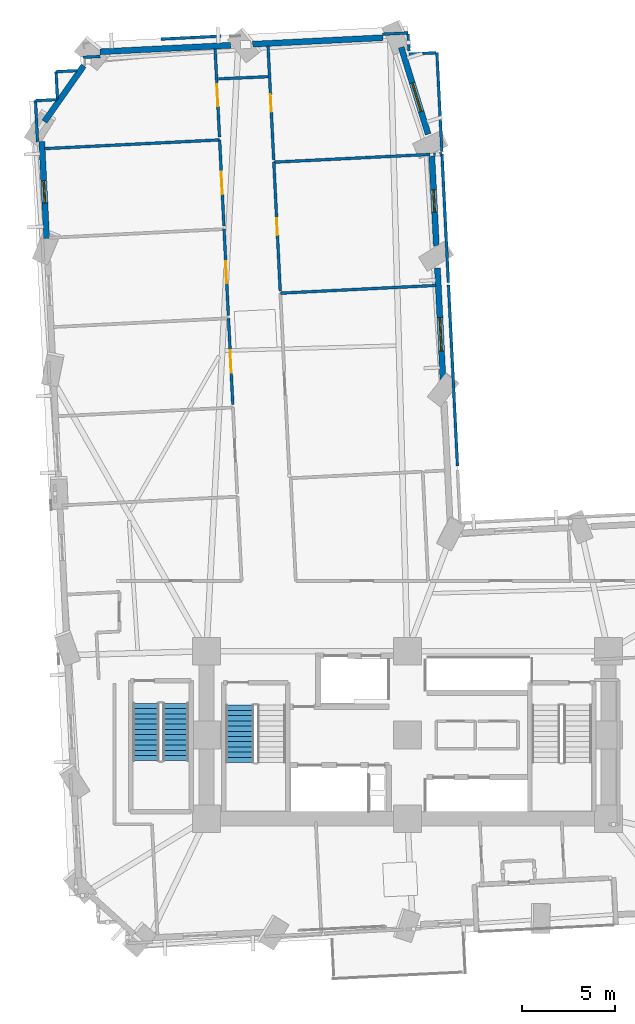
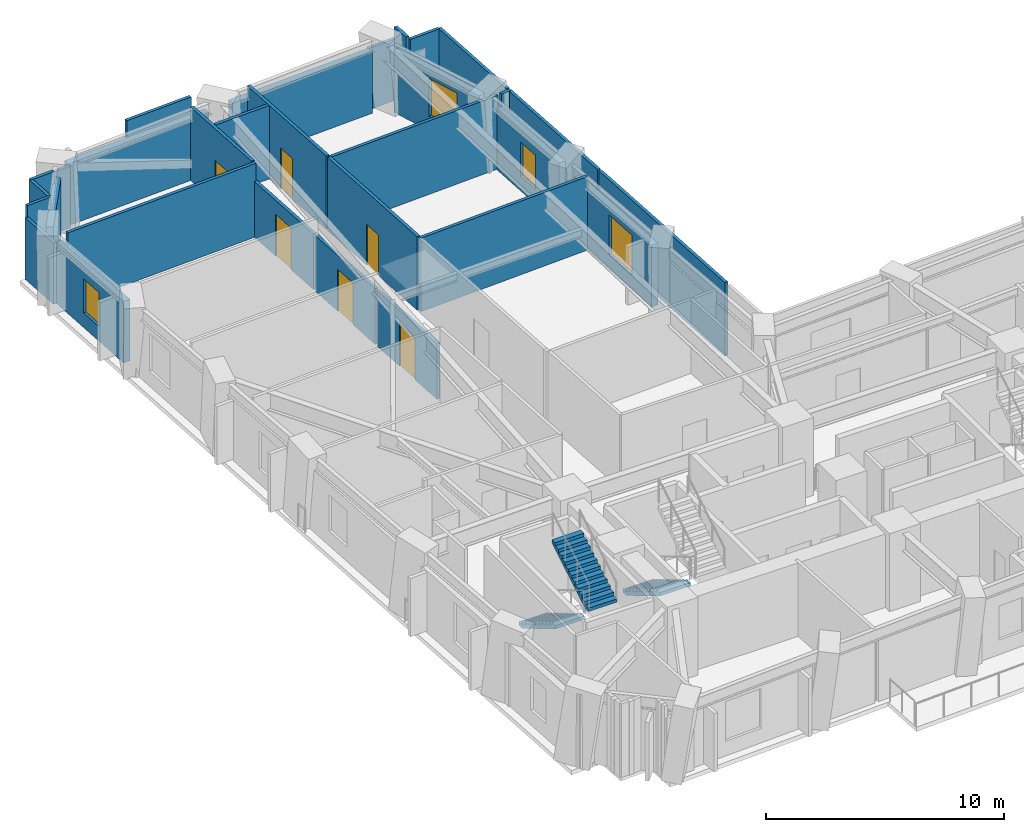
# One storey, part 10 of 15: 30 walls, 6 doors, 4 windows, 3 stair flights, 10 openings, 2 elements without a shape of their own.
"""IFC4 building model written with IfcOpenShell, lengths in metres."""

from ifc_helpers import new_model, si_unit, direction, frame, frame_2d, origin, place, context, subcontext, project, spatial, polyline, rectangle, outline, extrude, material, layer, layer_set, type_object, element, fill, aggregate, save


model = new_model("IFC4")

# Units and contexts
model_context = context("Model", 3, precision=1e-05, world=origin(), true_north=direction((0.0, 1.0)))
body_context = subcontext(model_context, "Body", "Model", "MODEL_VIEW")
ifc_project = project(units=[si_unit("LENGTHUNIT", "METRE"), si_unit("AREAUNIT", "SQUARE_METRE"), si_unit("VOLUMEUNIT", "CUBIC_METRE"), si_unit("PLANEANGLEUNIT", "RADIAN"), si_unit("MASSUNIT", "GRAM", prefix="KILO")], contexts=[model_context])

# Site, building, storey
site_placement = place(None, origin())
site = spatial("IfcSite", under=ifc_project, at=site_placement, CompositionType="ELEMENT")
building_placement = place(site_placement, origin())
building = spatial("IfcBuilding", under=site, at=building_placement, Name="Gaonmaruhae Medical Tower", CompositionType="ELEMENT")
storey_placement = place(building_placement, frame((0.0, 0.0, 35.0)))
storey = spatial("IfcBuildingStorey", under=building, at=storey_placement, Name="L07", CompositionType="ELEMENT", Elevation=35.0)

# Wall, opening, window
ifc_material_1 = material(Name="Precast concrete C45/55", Category="concrete")
ifc_layer_1 = layer(ifc_material_1, 0.320068359375)
ifc_layer_set_1 = layer_set([ifc_layer_1], Name="Precast concrete C45/55")
wall_type_1 = type_object("IfcWallType", Name="EW-320 Lower Precast Masonry-Frame Facade Wall", PredefinedType="SOLIDWALL", material=ifc_layer_set_1)
wall_1_placement = place(storey_placement, frame((26.71240234375, 31.41650390625, 0.0), z_axis=(0.0, 0.0, 1.0), x_axis=(-0.049710193148, 0.99876368411, 0.0)))
wall_1 = element("IfcWall", 1, at=wall_1_placement, inside=storey, type_object=wall_type_1, Name="L07 Precast Masonry-Frame Wall NE01-NE02", PredefinedType="SOLIDWALL", context=body_context, shape_type="SweptSolid", body=[
    extrude(rectangle(XDim=5.99658203125, YDim=0.320068359375, at=frame_2d((2.998291015625, 0.0))), origin(), (0.0, 0.0, 1.0), 3.1650390625),
])
opening_1_placement = place(wall_1_placement, frame((1.525146484375, 0.0, 0.75)))
opening_1 = element("IfcOpeningElement", 2, at=opening_1_placement, cuts=wall_1, Name="Opening WN-04", PredefinedType="OPENING", context=body_context, shape_type="SweptSolid", body=[
    extrude(rectangle(XDim=1.800048828125, YDim=2.050048828125, at=frame_2d((0.89990234375, 1.02490234375))), frame((0.0, 0.169921875, 0.0), z_axis=(0.0, -1.0, 0.0), x_axis=(1.0, 0.0, 0.0)), (0.0, 0.0, 1.0), 0.340087890625),
])
ifc_material_2 = material(Name="Anodised aluminium and Low-E double glazing", Category="aluminium")
window_type_1 = type_object("IfcWindowType", Name="WN-04 Clinic & Consult Punched Window 1800x2050", PartitioningType="SINGLE_PANEL", PredefinedType="WINDOW", material=ifc_material_2)
window_1_placement = place(opening_1_placement, origin())
window_1 = element("IfcWindow", 3, at=window_1_placement, inside=storey, type_object=window_type_1, Name="L07 Modular Facade Window NE01", OverallHeight=2.050048828125, OverallWidth=1.800048828125, PartitioningType="SINGLE_PANEL", PredefinedType="WINDOW", context=body_context, shape_type="SweptSolid", body=[
    extrude(rectangle(XDim=1.800048828125, YDim=2.050048828125, at=frame_2d((0.89990234375, 1.02490234375))), frame((0.0, 0.030029296875, 0.0), z_axis=(0.0, -1.0, 0.0), x_axis=(1.0, 0.0, 0.0)), (0.0, 0.0, 1.0), 0.06005859375),
])
fill(opening_1, window_1)

wall_2_placement = place(storey_placement, frame((26.35498046875, 38.59912109375, 0.0), z_axis=(0.0, 0.0, 1.0), x_axis=(-0.049730290966, 0.998762683604, 0.0)))
wall_2 = element("IfcWall", 4, at=wall_2_placement, inside=storey, type_object=wall_type_1, Name="L07 Precast Masonry-Frame Wall NE02-NE03", PredefinedType="SOLIDWALL", context=body_context, shape_type="SweptSolid", body=[
    extrude(rectangle(XDim=4.81591796875, YDim=0.320068359375, at=frame_2d((2.407958984375, 0.0))), origin(), (0.0, 0.0, 1.0), 3.1650390625),
])
opening_2_placement = place(wall_2_placement, frame((1.8056640625, 0.0, 0.75)))
opening_2 = element("IfcOpeningElement", 5, at=opening_2_placement, cuts=wall_2, Name="Opening WN-05", PredefinedType="OPENING", context=body_context, shape_type="SweptSolid", body=[
    extrude(rectangle(XDim=1.199951171875, YDim=1.75, at=frame_2d((0.60009765625, 0.875))), frame((0.0, 0.169921875, 0.0), z_axis=(0.0, -1.0, 0.0), x_axis=(1.0, 0.0, 0.0)), (0.0, 0.0, 1.0), 0.340087890625),
])
window_type_2 = type_object("IfcWindowType", Name="WN-05 Support & Staff Punched Window 1200x1750", PartitioningType="SINGLE_PANEL", PredefinedType="WINDOW", material=ifc_material_2)
window_2_placement = place(opening_2_placement, origin())
window_2 = element("IfcWindow", 6, at=window_2_placement, inside=storey, type_object=window_type_2, Name="L07 Modular Facade Window NE02", OverallHeight=1.75, OverallWidth=1.199951171875, PartitioningType="SINGLE_PANEL", PredefinedType="WINDOW", context=body_context, shape_type="SweptSolid", body=[
    extrude(rectangle(XDim=1.199951171875, YDim=1.75, at=frame_2d((0.60009765625, 0.875))), frame((0.0, 0.030029296875, 0.0), z_axis=(0.0, -1.0, 0.0), x_axis=(1.0, 0.0, 0.0)), (0.0, 0.0, 1.0), 0.06005859375),
])
fill(opening_2, window_2)

wall_3_placement = place(storey_placement, frame((24.466552734375, 49.263916015625, 0.0), z_axis=(0.0, 0.0, 1.0), x_axis=(0.296218585313, -0.955120175536, 0.0)))
wall_3 = element("IfcWall", 7, at=wall_3_placement, inside=storey, type_object=wall_type_1, Name="L07 Precast Masonry-Frame Wall NE03-N01", PredefinedType="SOLIDWALL", context=body_context, shape_type="SweptSolid", body=[
    extrude(rectangle(XDim=4.88916015625, YDim=0.320068359375, at=frame_2d((2.444580078125, 0.0))), origin(), (0.0, 0.0, 1.0), 3.1650390625),
])
opening_3_placement = place(wall_3_placement, frame((2.014892578125, 0.0, 0.75)))
opening_3 = element("IfcOpeningElement", 8, at=opening_3_placement, cuts=wall_3, Name="Opening WN-01", PredefinedType="OPENING", context=body_context, shape_type="SweptSolid", body=[
    extrude(rectangle(XDim=1.60009765625, YDim=1.949951171875, at=frame_2d((0.800048828125, 0.97509765625))), frame((0.0, 0.169921875, 0.0), z_axis=(0.0, -1.0, 0.0), x_axis=(1.0, 0.0, 0.0)), (0.0, 0.0, 1.0), 0.340087890625),
])
window_type_3 = type_object("IfcWindowType", Name="WN-01 Ward Punched Acoustic Window 1600x1950", PartitioningType="SINGLE_PANEL", PredefinedType="WINDOW", material=ifc_material_2)
window_3_placement = place(opening_3_placement, origin())
window_3 = element("IfcWindow", 9, at=window_3_placement, inside=storey, type_object=window_type_3, Name="L07 Modular Facade Window NE03", OverallHeight=1.949951171875, OverallWidth=1.60009765625, PartitioningType="SINGLE_PANEL", PredefinedType="WINDOW", context=body_context, shape_type="SweptSolid", body=[
    extrude(rectangle(XDim=1.60009765625, YDim=1.949951171875, at=frame_2d((0.800048828125, 0.97509765625))), frame((0.0, 0.030029296875, 0.0), z_axis=(0.0, -1.0, 0.0), x_axis=(1.0, 0.0, 0.0)), (0.0, 0.0, 1.0), 0.06005859375),
])
fill(opening_3, window_3)

# Walls
wall_4_placement = place(storey_placement, frame((16.48681640625, 49.4296875, 0.0), z_axis=(0.0, 0.0, 1.0), x_axis=(0.998763528672, 0.049713316063, 0.0)))
element("IfcWall", 10, at=wall_4_placement, inside=storey, type_object=wall_type_1, Name="L07 Precast Masonry-Frame Wall N01-N02", PredefinedType="SOLIDWALL", context=body_context, shape_type="SweptSolid", body=[
    extrude(rectangle(XDim=7.0029296875, YDim=0.320068359375, at=frame_2d((3.50146484375, 0.0))), origin(), (0.0, 0.0, 1.0), 3.1650390625),
])
wall_5_placement = place(storey_placement, frame((8.277587890625, 49.02099609375, 0.0), z_axis=(0.0, 0.0, 1.0), x_axis=(0.998764253963, 0.0496987425, 0.0)))
element("IfcWall", 11, at=wall_5_placement, inside=storey, type_object=wall_type_1, Name="L07 Precast Masonry-Frame Wall N02-N03", PredefinedType="SOLIDWALL", context=body_context, shape_type="SweptSolid", body=[
    extrude(rectangle(XDim=7.03466796875, YDim=0.320068359375, at=frame_2d((3.517333984375, 0.0))), origin(), (0.0, 0.0, 1.0), 3.1650390625),
])
wall_6_placement = place(storey_placement, frame((5.29296875, 45.268798828125, 0.0), z_axis=(0.0, 0.0, 1.0), x_axis=(0.574655096794, 0.818395698748, 0.0)))
element("IfcWall", 12, at=wall_6_placement, inside=storey, type_object=wall_type_1, Name="L07 Precast Masonry-Frame Wall N03-W01", PredefinedType="SOLIDWALL", context=body_context, shape_type="SweptSolid", body=[
    extrude(rectangle(XDim=3.666015625, YDim=0.320068359375, at=frame_2d((1.8330078125, 0.0))), origin(), (0.0, 0.0, 1.0), 3.1650390625),
])

# Wall, opening, window
wall_7_placement = place(storey_placement, frame((5.409912109375, 38.982421875, 0.0), z_axis=(0.0, 0.0, 1.0), x_axis=(-0.049688162192, 0.998764780385, 0.0)))
wall_7 = element("IfcWall", 13, at=wall_7_placement, inside=storey, type_object=wall_type_1, Name="L07 Precast Masonry-Frame Wall W01-W02", PredefinedType="SOLIDWALL", context=body_context, shape_type="SweptSolid", body=[
    extrude(rectangle(XDim=5.222900390625, YDim=0.320068359375, at=frame_2d((2.611328125, 0.0))), origin(), (0.0, 0.0, 1.0), 3.1650390625),
])
opening_4_placement = place(wall_7_placement, frame((1.91357421875, 0.0, 0.75)))
opening_4 = element("IfcOpeningElement", 14, at=opening_4_placement, cuts=wall_7, Name="Opening WN-05", PredefinedType="OPENING", context=body_context, shape_type="SweptSolid", body=[
    extrude(rectangle(XDim=1.199951171875, YDim=1.75, at=frame_2d((0.60009765625, 0.875))), frame((0.0, 0.169921875, 0.0), z_axis=(0.0, -1.0, 0.0), x_axis=(1.0, 0.0, 0.0)), (0.0, 0.0, 1.0), 0.340087890625),
])
window_4_placement = place(opening_4_placement, origin())
window_4 = element("IfcWindow", 15, at=window_4_placement, inside=storey, type_object=window_type_2, Name="L07 Modular Facade Window W01", OverallHeight=1.75, OverallWidth=1.199951171875, PartitioningType="SINGLE_PANEL", PredefinedType="WINDOW", context=body_context, shape_type="SweptSolid", body=[
    extrude(rectangle(XDim=1.199951171875, YDim=1.75, at=frame_2d((0.60009765625, 0.875))), frame((0.0, 0.030029296875, 0.0), z_axis=(0.0, -1.0, 0.0), x_axis=(1.0, 0.0, 0.0)), (0.0, 0.0, 1.0), 0.06005859375),
])
fill(opening_4, window_4)

# Wall, opening, door
ifc_material_3 = material(Name="Gypsum board partition", Category="gypsum")
ifc_layer_2 = layer(ifc_material_3, 0.14990234375)
ifc_layer_set_2 = layer_set([ifc_layer_2], Name="Gypsum board partition")
wall_type_2 = type_object("IfcWallType", Name="PW-150 Rated Clinical Corridor Partition", PredefinedType="PARTITIONING", material=ifc_layer_set_2)
wall_8_placement = place(storey_placement, frame((15.18505859375, 34.697021484375, 0.0), z_axis=(0.0, 0.0, 1.0), x_axis=(0.049767066936, -0.99876085178, 0.0)))
wall_8 = element("IfcWall", 16, at=wall_8_placement, inside=storey, type_object=wall_type_2, Name="L07 Interior Partition L07-WOF16-62", PredefinedType="PARTITIONING", context=body_context, shape_type="SweptSolid", body=[
    extrude(rectangle(XDim=4.640869140625, YDim=0.14990234375, at=frame_2d((2.3203125, 0.0))), origin(), (0.0, 0.0, 1.0), 2.864990234375),
])
opening_5_placement = place(wall_8_placement, frame((1.720458984375, 0.0, 0.0)))
opening_5 = element("IfcOpeningElement", 17, at=opening_5_placement, cuts=wall_8, Name="Opening CD-02", PredefinedType="OPENING", context=body_context, shape_type="SweptSolid", body=[
    extrude(rectangle(XDim=1.199951171875, YDim=2.14990234375, at=frame_2d((0.60009765625, 1.074951171875))), frame((0.0, 0.0849609375, 0.0), z_axis=(0.0, -1.0, 0.0), x_axis=(1.0, 0.0, 0.0)), (0.0, 0.0, 1.0), 0.169921875),
])
ifc_material_4 = material(Name="Antimicrobial laminate timber fire door", Category="wood")
door_type_1 = type_object("IfcDoorType", Name="CD-02 Clinical Treatment & Procedure Door 1200x2150", OperationType="NOTDEFINED", PredefinedType="DOOR", material=ifc_material_4)
door_1_placement = place(opening_5_placement, origin())
door_1 = element("IfcDoor", 18, at=door_1_placement, inside=storey, type_object=door_type_1, Name="L07 Ward Physician Reporting Office Door", OperationType="SINGLE_SWING_RIGHT", OverallHeight=2.14990234375, OverallWidth=1.199951171875, PredefinedType="DOOR", context=body_context, shape_type="SweptSolid", body=[
    extrude(rectangle(XDim=1.199951171875, YDim=2.14990234375, at=frame_2d((0.60009765625, 1.074951171875))), frame((0.0, 0.02490234375, 0.0), z_axis=(0.0, -1.0, 0.0), x_axis=(1.0, 0.0, 0.0)), (0.0, 0.0, 1.0), 0.050048828125),
])
fill(opening_5, door_1)

wall_9_placement = place(storey_placement, frame((14.946044921875, 39.490966796875, 0.0), z_axis=(0.0, 0.0, 1.0), x_axis=(0.049767066936, -0.99876085178, 0.0)))
wall_9 = element("IfcWall", 19, at=wall_9_placement, inside=storey, type_object=wall_type_2, Name="L07 Interior Partition L07-WOF17-65", PredefinedType="PARTITIONING", context=body_context, shape_type="SweptSolid", body=[
    extrude(rectangle(XDim=4.640869140625, YDim=0.14990234375, at=frame_2d((2.3203125, 0.0))), origin(), (0.0, 0.0, 1.0), 2.864990234375),
])
opening_6_placement = place(wall_9_placement, frame((1.720458984375, 0.0, 0.0)))
opening_6 = element("IfcOpeningElement", 20, at=opening_6_placement, cuts=wall_9, Name="Opening CD-02", PredefinedType="OPENING", context=body_context, shape_type="SweptSolid", body=[
    extrude(rectangle(XDim=1.199951171875, YDim=2.14990234375, at=frame_2d((0.60009765625, 1.074951171875))), frame((0.0, 0.0849609375, 0.0), z_axis=(0.0, -1.0, 0.0), x_axis=(1.0, 0.0, 0.0)), (0.0, 0.0, 1.0), 0.169921875),
])
door_2_placement = place(opening_6_placement, origin())
door_2 = element("IfcDoor", 21, at=door_2_placement, inside=storey, type_object=door_type_1, Name="L07 Ward Physician Reporting Office Door", OperationType="SINGLE_SWING_RIGHT", OverallHeight=2.14990234375, OverallWidth=1.199951171875, PredefinedType="DOOR", context=body_context, shape_type="SweptSolid", body=[
    extrude(rectangle(XDim=1.199951171875, YDim=2.14990234375, at=frame_2d((0.60009765625, 1.074951171875))), frame((0.0, 0.02490234375, 0.0), z_axis=(0.0, -1.0, 0.0), x_axis=(1.0, 0.0, 0.0)), (0.0, 0.0, 1.0), 0.050048828125),
])
fill(opening_6, door_2)

# Wall
wall_10_placement = place(storey_placement, frame((5.304931640625, 43.81591796875, 0.0), z_axis=(0.0, 0.0, 1.0), x_axis=(0.998758474734, 0.049814748279, 0.0)))
element("IfcWall", 22, at=wall_10_placement, inside=storey, type_object=wall_type_2, Name="L07 Interior Partition L07-WOF18-67", PredefinedType="PARTITIONING", context=body_context, shape_type="SweptSolid", body=[
    extrude(rectangle(XDim=9.414794921875, YDim=0.14990234375, at=frame_2d((4.70751953125, 0.0))), origin(), (0.0, 0.0, 1.0), 3.780029296875),
])

# Wall, opening, door
wall_11_placement = place(storey_placement, frame((14.7080078125, 44.284912109375, 0.0), z_axis=(0.0, 0.0, 1.0), x_axis=(0.049767066936, -0.99876085178, 0.0)))
wall_11 = element("IfcWall", 23, at=wall_11_placement, inside=storey, type_object=wall_type_2, Name="L07 Interior Partition L07-WOF18-68", PredefinedType="PARTITIONING", context=body_context, shape_type="SweptSolid", body=[
    extrude(rectangle(XDim=4.640869140625, YDim=0.14990234375, at=frame_2d((2.3203125, 0.0))), origin(), (0.0, 0.0, 1.0), 2.864990234375),
])
opening_7_placement = place(wall_11_placement, frame((1.720458984375, 0.0, 0.0)))
opening_7 = element("IfcOpeningElement", 24, at=opening_7_placement, cuts=wall_11, Name="Opening CD-02", PredefinedType="OPENING", context=body_context, shape_type="SweptSolid", body=[
    extrude(rectangle(XDim=1.199951171875, YDim=2.14990234375, at=frame_2d((0.60009765625, 1.074951171875))), frame((0.0, 0.0849609375, 0.0), z_axis=(0.0, -1.0, 0.0), x_axis=(1.0, 0.0, 0.0)), (0.0, 0.0, 1.0), 0.169921875),
])
door_3_placement = place(opening_7_placement, origin())
door_3 = element("IfcDoor", 25, at=door_3_placement, inside=storey, type_object=door_type_1, Name="L07 Ward Physician Reporting Office Door", OperationType="SINGLE_SWING_LEFT", OverallHeight=2.14990234375, OverallWidth=1.199951171875, PredefinedType="DOOR", context=body_context, shape_type="SweptSolid", body=[
    extrude(rectangle(XDim=1.199951171875, YDim=2.14990234375, at=frame_2d((0.60009765625, 1.074951171875))), frame((0.0, 0.02490234375, 0.0), z_axis=(0.0, -1.0, 0.0), x_axis=(1.0, 0.0, 0.0)), (0.0, 0.0, 1.0), 0.050048828125),
])
fill(opening_7, door_3)

# Walls
wall_12_placement = place(storey_placement, frame((5.9150390625, 47.951904296875, 0.0), z_axis=(0.0, 0.0, 1.0), x_axis=(0.998740007883, 0.050183629342, 0.0)))
element("IfcWall", 26, at=wall_12_placement, inside=storey, type_object=wall_type_2, Name="L07 Interior Partition L07-WOF19-69", PredefinedType="PARTITIONING", context=body_context, shape_type="SweptSolid", body=[
    extrude(rectangle(XDim=1.138427734375, YDim=0.14990234375, at=frame_2d((0.5693359375, 0.0))), origin(), (0.0, 0.0, 1.0), 3.780029296875),
])
wall_13_placement = place(storey_placement, frame((7.3779296875, 48.72607421875, 0.0), z_axis=(0.0, 0.0, 1.0), x_axis=(0.998789394288, 0.049190912353, 0.0)))
element("IfcWall", 27, at=wall_13_placement, inside=storey, type_object=wall_type_2, Name="L07 Interior Partition L07-WOF19-70", PredefinedType="PARTITIONING", context=body_context, shape_type="SweptSolid", body=[
    extrude(rectangle(XDim=0.913330078125, YDim=0.14990234375, at=frame_2d((0.45654296875, 0.0))), origin(), (0.0, 0.0, 1.0), 3.1650390625),
])

# Wall, opening, door
wall_14_placement = place(storey_placement, frame((14.465087890625, 49.1689453125, 0.0), z_axis=(0.0, 0.0, 1.0), x_axis=(0.049656995703, -0.998766330419, 0.0)))
wall_14 = element("IfcWall", 28, at=wall_14_placement, inside=storey, type_object=wall_type_2, Name="L07 Interior Partition L07-WOF19-71", PredefinedType="PARTITIONING", context=body_context, shape_type="SweptSolid", body=[
    extrude(rectangle(XDim=4.729736328125, YDim=0.14990234375, at=frame_2d((2.36474609375, 0.0))), origin(), (0.0, 0.0, 1.0), 3.780029296875),
])
opening_8_placement = place(wall_14_placement, frame((1.8896484375, 0.0, 0.0)))
opening_8 = element("IfcOpeningElement", 29, at=opening_8_placement, cuts=wall_14, Name="Opening CD-02", PredefinedType="OPENING", context=body_context, shape_type="SweptSolid", body=[
    extrude(rectangle(XDim=1.199951171875, YDim=2.14990234375, at=frame_2d((0.60009765625, 1.074951171875))), frame((0.0, 0.0849609375, 0.0), z_axis=(0.0, -1.0, 0.0), x_axis=(1.0, 0.0, 0.0)), (0.0, 0.0, 1.0), 0.169921875),
])
door_4_placement = place(opening_8_placement, origin())
door_4 = element("IfcDoor", 30, at=door_4_placement, inside=storey, type_object=door_type_1, Name="L07 Ward Physician Reporting Office Door", OperationType="SINGLE_SWING_LEFT", OverallHeight=2.14990234375, OverallWidth=1.199951171875, PredefinedType="DOOR", context=body_context, shape_type="SweptSolid", body=[
    extrude(rectangle(XDim=1.199951171875, YDim=2.14990234375, at=frame_2d((0.60009765625, 1.074951171875))), frame((0.0, 0.02490234375, 0.0), z_axis=(0.0, -1.0, 0.0), x_axis=(1.0, 0.0, 0.0)), (0.0, 0.0, 1.0), 0.050048828125),
])
fill(opening_8, door_4)

# Walls
wall_15_placement = place(storey_placement, frame((4.9208984375, 44.18701171875, 0.0), z_axis=(0.0, 0.0, 1.0), x_axis=(-0.049695266708, 0.998764426913, 0.0)))
element("IfcWall", 31, at=wall_15_placement, inside=storey, type_object=wall_type_2, Name="L07 Interior Partition L07-WOF19-72", PredefinedType="PARTITIONING", context=body_context, shape_type="SweptSolid", body=[
    extrude(rectangle(XDim=2.210693359375, YDim=0.14990234375, at=frame_2d((1.10546875, 0.0))), origin(), (0.0, 0.0, 1.0), 3.1650390625),
])
wall_16_placement = place(storey_placement, frame((4.81103515625, 46.39501953125, 0.0), z_axis=(0.0, 0.0, 1.0), x_axis=(0.998774487696, 0.049492653261, 0.0)))
element("IfcWall", 32, at=wall_16_placement, inside=storey, type_object=wall_type_2, Name="L07 Interior Partition L07-WOF19-73", PredefinedType="PARTITIONING", context=body_context, shape_type="SweptSolid", body=[
    extrude(rectangle(XDim=1.1494140625, YDim=0.14990234375, at=frame_2d((0.57470703125, 0.0))), origin(), (0.0, 0.0, 1.0), 3.780029296875),
])
wall_17_placement = place(storey_placement, frame((5.987060546875, 46.491943359375, 0.0), z_axis=(0.0, 0.0, 1.0), x_axis=(-0.049271187967, 0.998785437437, 0.0)))
element("IfcWall", 33, at=wall_17_placement, inside=storey, type_object=wall_type_2, Name="L07 Interior Partition L07-WOF19-74", PredefinedType="PARTITIONING", context=body_context, shape_type="SweptSolid", body=[
    extrude(rectangle(XDim=1.461669921875, YDim=0.14990234375, at=frame_2d((0.73095703125, 0.0))), origin(), (0.0, 0.0, 1.0), 3.780029296875),
])
wall_18_placement = place(storey_placement, frame((17.970947265625, 36.047119140625, 0.0), z_axis=(0.0, 0.0, 1.0), x_axis=(0.998764101431, 0.049701807748, 0.0)))
element("IfcWall", 34, at=wall_18_placement, inside=storey, type_object=wall_type_2, Name="L07 Interior Partition L07-IN01-103", PredefinedType="PARTITIONING", context=body_context, shape_type="SweptSolid", body=[
    extrude(rectangle(XDim=8.365234375, YDim=0.14990234375, at=frame_2d((4.1826171875, 0.0))), origin(), (0.0, 0.0, 1.0), 3.780029296875),
])
wall_19_placement = place(storey_placement, frame((27.010009765625, 36.4970703125, 0.0), z_axis=(0.0, 0.0, 1.0), x_axis=(0.049754032713, -0.998761501175, 0.0)))
element("IfcWall", 35, at=wall_19_placement, inside=storey, type_object=wall_type_2, Name="L07 Interior Partition L07-IN01-104", PredefinedType="PARTITIONING", context=body_context, shape_type="SweptSolid", body=[
    extrude(rectangle(XDim=9.75, YDim=0.14990234375, at=frame_2d((4.875, 0.0))), origin(), (0.0, 0.0, 1.0), 3.780029296875),
])

# Wall, opening, door
wall_20_placement = place(storey_placement, frame((17.965087890625, 36.1669921875, 0.0), z_axis=(0.0, 0.0, 1.0), x_axis=(-0.049642400939, 0.998767055939, 0.0)))
wall_20 = element("IfcWall", 36, at=wall_20_placement, inside=storey, type_object=wall_type_2, Name="L07 Interior Partition L07-IN02-105", PredefinedType="PARTITIONING", context=body_context, shape_type="SweptSolid", body=[
    extrude(rectangle(XDim=6.929443359375, YDim=0.14990234375, at=frame_2d((3.46484375, 0.0))), origin(), (0.0, 0.0, 1.0), 3.780029296875),
])
opening_9_placement = place(wall_20_placement, frame((3.0048828125, 0.0, 0.0)))
opening_9 = element("IfcOpeningElement", 37, at=opening_9_placement, cuts=wall_20, Name="Opening UD-01", PredefinedType="OPENING", context=body_context, shape_type="SweptSolid", body=[
    extrude(rectangle(XDim=0.919921875, YDim=2.10009765625, at=frame_2d((0.4599609375, 1.050048828125))), frame((0.0, 0.0849609375, 0.0), z_axis=(0.0, -1.0, 0.0), x_axis=(1.0, 0.0, 0.0)), (0.0, 0.0, 1.0), 0.169921875),
])
ifc_material_5 = material(Name="Powder-coated steel utility door", Category="steel")
door_type_2 = type_object("IfcDoorType", Name="UD-01 Toilet, Utility & Housekeeping Door 920x2100", OperationType="NOTDEFINED", PredefinedType="DOOR", material=ifc_material_5)
door_5_placement = place(opening_9_placement, origin())
door_5 = element("IfcDoor", 38, at=door_5_placement, inside=storey, type_object=door_type_2, Name="L07 Ward Nutrition Pantry Door", OperationType="SINGLE_SWING_LEFT", OverallHeight=2.10009765625, OverallWidth=0.919921875, PredefinedType="DOOR", context=body_context, shape_type="SweptSolid", body=[
    extrude(rectangle(XDim=0.919921875, YDim=2.10009765625, at=frame_2d((0.4599609375, 1.050048828125))), frame((0.0, 0.02490234375, 0.0), z_axis=(0.0, -1.0, 0.0), x_axis=(1.0, 0.0, 0.0)), (0.0, 0.0, 1.0), 0.050048828125),
])
fill(opening_9, door_5)

# Walls
wall_21_placement = place(storey_placement, frame((17.62109375, 43.087890625, 0.0), z_axis=(0.0, 0.0, 1.0), x_axis=(0.998763172644, 0.049720468316, 0.0)))
element("IfcWall", 39, at=wall_21_placement, inside=storey, type_object=wall_type_2, Name="L07 Interior Partition L07-IN02-106", PredefinedType="PARTITIONING", context=body_context, shape_type="SweptSolid", body=[
    extrude(rectangle(XDim=8.411376953125, YDim=0.14990234375, at=frame_2d((4.20556640625, 0.0))), origin(), (0.0, 0.0, 1.0), 3.780029296875),
])
wall_22_placement = place(storey_placement, frame((26.198974609375, 43.514892578125, 0.0), z_axis=(0.0, 0.0, 1.0), x_axis=(0.998736458519, 0.050254217987, 0.0)))
element("IfcWall", 40, at=wall_22_placement, inside=storey, type_object=wall_type_2, Name="L07 Interior Partition L07-IN02-107", PredefinedType="PARTITIONING", context=body_context, shape_type="SweptSolid", body=[
    extrude(rectangle(XDim=0.46142578125, YDim=0.14990234375, at=frame_2d((0.230712890625, 0.0))), origin(), (0.0, 0.0, 1.0), 3.780029296875),
])
wall_23_placement = place(storey_placement, frame((26.659912109375, 43.5380859375, 0.0), z_axis=(0.0, 0.0, 1.0), x_axis=(0.049640654138, -0.99876714276, 0.0)))
element("IfcWall", 41, at=wall_23_placement, inside=storey, type_object=wall_type_2, Name="L07 Interior Partition L07-IN02-108", PredefinedType="PARTITIONING", context=body_context, shape_type="SweptSolid", body=[
    extrude(rectangle(XDim=6.9296875, YDim=0.14990234375, at=frame_2d((3.46484375, 0.0))), origin(), (0.0, 0.0, 1.0), 3.780029296875),
])
wall_24_placement = place(storey_placement, frame((26.388916015625, 48.970947265625, 0.0), z_axis=(0.0, 0.0, 1.0), x_axis=(0.049841478508, -0.998757141161, 0.0)))
element("IfcWall", 42, at=wall_24_placement, inside=storey, type_object=wall_type_2, Name="L07 Interior Partition L07-IN03-109", PredefinedType="PARTITIONING", context=body_context, shape_type="SweptSolid", body=[
    extrude(rectangle(XDim=5.319580078125, YDim=0.14990234375, at=frame_2d((2.65966796875, 0.0))), origin(), (0.0, 0.0, 1.0), 3.780029296875),
])

# Wall, opening, door
wall_25_placement = place(storey_placement, frame((17.614990234375, 43.2080078125, 0.0), z_axis=(0.0, 0.0, 1.0), x_axis=(-0.049707364413, 0.998763824897, 0.0)))
wall_25 = element("IfcWall", 43, at=wall_25_placement, inside=storey, type_object=wall_type_2, Name="L07 Interior Partition L07-IN03-110", PredefinedType="PARTITIONING", context=body_context, shape_type="SweptSolid", body=[
    extrude(rectangle(XDim=6.134521484375, YDim=0.14990234375, at=frame_2d((3.0673828125, 0.0))), origin(), (0.0, 0.0, 1.0), 3.780029296875),
])
opening_10_placement = place(wall_25_placement, frame((2.607421875, 0.0, 0.0)))
opening_10 = element("IfcOpeningElement", 44, at=opening_10_placement, cuts=wall_25, Name="Opening UD-01", PredefinedType="OPENING", context=body_context, shape_type="SweptSolid", body=[
    extrude(rectangle(XDim=0.919921875, YDim=2.10009765625, at=frame_2d((0.4599609375, 1.050048828125))), frame((0.0, 0.0849609375, 0.0), z_axis=(0.0, -1.0, 0.0), x_axis=(1.0, 0.0, 0.0)), (0.0, 0.0, 1.0), 0.169921875),
])
door_6_placement = place(opening_10_placement, origin())
door_6 = element("IfcDoor", 45, at=door_6_placement, inside=storey, type_object=door_type_2, Name="L07 Public Visitor Toilet Door", OperationType="SINGLE_SWING_LEFT", OverallHeight=2.10009765625, OverallWidth=0.919921875, PredefinedType="DOOR", context=body_context, shape_type="SweptSolid", body=[
    extrude(rectangle(XDim=0.919921875, YDim=2.10009765625, at=frame_2d((0.4599609375, 1.050048828125))), frame((0.0, 0.02490234375, 0.0), z_axis=(0.0, -1.0, 0.0), x_axis=(1.0, 0.0, 0.0)), (0.0, 0.0, 1.0), 0.050048828125),
])
fill(opening_10, door_6)

# Walls
wall_26_placement = place(storey_placement, frame((23.471923828125, 49.967041015625, 0.0), z_axis=(0.0, 0.0, 1.0), x_axis=(0.998760806784, 0.049767969938, 0.0)))
element("IfcWall", 46, at=wall_26_placement, inside=storey, type_object=wall_type_2, Name="L07 Interior Partition L07-IN03-111", PredefinedType="PARTITIONING", context=body_context, shape_type="SweptSolid", body=[
    extrude(rectangle(XDim=1.36376953125, YDim=0.14990234375, at=frame_2d((0.681884765625, 0.0))), origin(), (0.0, 0.0, 1.0), 3.1650390625),
])
wall_27_placement = place(storey_placement, frame((24.8369140625, 49.985107421875, 0.0), z_axis=(0.0, 0.0, 1.0), x_axis=(0.049352181131, -0.998781438663, 0.0)))
element("IfcWall", 47, at=wall_27_placement, inside=storey, type_object=wall_type_2, Name="L07 Interior Partition L07-IN03-112", PredefinedType="PARTITIONING", context=body_context, shape_type="SweptSolid", body=[
    extrude(rectangle(XDim=0.915283203125, YDim=0.14990234375, at=frame_2d((0.45751953125, 0.0))), origin(), (0.0, 0.0, 1.0), 3.780029296875),
])
wall_28_placement = place(storey_placement, frame((24.89111328125, 48.89697265625, 0.0), z_axis=(0.0, 0.0, 1.0), x_axis=(0.998765323198, 0.0496772501, 0.0)))
element("IfcWall", 48, at=wall_28_placement, inside=storey, type_object=wall_type_2, Name="L07 Interior Partition L07-IN03-113", PredefinedType="PARTITIONING", context=body_context, shape_type="SweptSolid", body=[
    extrude(rectangle(XDim=1.44970703125, YDim=0.14990234375, at=frame_2d((0.724853515625, 0.0))), origin(), (0.0, 0.0, 1.0), 3.780029296875),
])
wall_29_placement = place(storey_placement, frame((17.319091796875, 47.68310546875, 0.0), z_axis=(0.0, 0.0, 1.0), x_axis=(-0.999041126527, -0.043781588673, 0.0)))
element("IfcWall", 49, at=wall_29_placement, inside=storey, type_object=wall_type_2, Name="L07 Interior Partition L07-RM01-114", PredefinedType="PARTITIONING", context=body_context, shape_type="SweptSolid", body=[
    extrude(rectangle(XDim=2.6767578125, YDim=0.14990234375, at=frame_2d((1.33837890625, 0.0))), origin(), (0.0, 0.0, 1.0), 3.780029296875),
])
wall_30_placement = place(storey_placement, frame((11.56396484375, 49.705078125, 0.0), z_axis=(0.0, 0.0, 1.0), x_axis=(0.998755545217, 0.049873448837, 0.0)))
element("IfcWall", 50, at=wall_30_placement, inside=storey, type_object=wall_type_2, Name="L07 Interior Partition L07-RM01-115", PredefinedType="PARTITIONING", context=body_context, shape_type="SweptSolid", body=[
    extrude(rectangle(XDim=3.225830078125, YDim=0.14990234375, at=frame_2d((1.61279296875, 0.0))), origin(), (0.0, 0.0, 1.0), 3.780029296875),
])

# Stair, stair flight
ifc_material_6 = material(Name="Concrete C40/50", Category="concrete")
stair_type_1 = type_object("IfcStairType", Name="ST-T1 Primary Core Escape Dogleg Stair", PredefinedType="TWO_QUARTER_TURN_STAIR", material=ifc_material_6)
stair_1_placement = place(storey_placement, origin())
stair_1 = element("IfcStair", 51, at=stair_1_placement, inside=storey, type_object=stair_type_1, Name="L07 Protected Escape Stair ST-01", PredefinedType="TWO_QUARTER_TURN_STAIR")
stair_flight_type_1 = type_object("IfcStairFlightType", Name="SF-T1 Primary Core Precast Stair Flight", PredefinedType="STRAIGHT", material=ifc_material_6)
stair_flight_1_placement = place(storey_placement, frame((15.800048828125, 13.89990234375, 0.0), z_axis=(0.0, 0.0, 1.0), x_axis=(0.0, -1.0, 0.0)))
stair_flight_1 = element("IfcStairFlight", 52, at=stair_flight_1_placement, type_object=stair_flight_type_1, Name="ST-01 flight 1", NumberOfRisers=12, NumberOfTreads=11, PredefinedType="STRAIGHT", RiserHeight=0.166666667, TreadLength=0.28, context=body_context, shape_type="SweptSolid", body=[
    extrude(outline(polyline([(0.0, 0.0), (0.0, 0.166748046875), (0.280029296875, 0.166748046875), (0.280029296875, 0.333251953125), (0.56005859375, 0.333251953125), (0.56005859375, 0.5), (0.840087890625, 0.5), (0.840087890625, 0.666748046875), (1.1201171875, 0.666748046875), (1.1201171875, 0.833251953125), (1.39990234375, 0.833251953125), (1.39990234375, 1.0), (1.679931640625, 1.0), (1.679931640625, 1.166748046875), (1.9599609375, 1.166748046875), (1.9599609375, 1.333251953125), (2.239990234375, 1.333251953125), (2.239990234375, 1.5), (2.52001953125, 1.5), (2.52001953125, 1.666748046875), (2.800048828125, 1.666748046875), (2.800048828125, 1.833251953125), (3.080078125, 1.833251953125), (3.080078125, 2.0), (3.080078125, 1.658935546875), (0.29296875, 0.0), (0.0, 0.0)])), frame((0.0, 0.75, 0.0), z_axis=(0.0, -1.0, 0.0), x_axis=(1.0, 0.0, 0.0)), (0.0, 0.0, 1.0), 1.5),
])
aggregate(stair_1, [stair_flight_1])

# Stair, stair flights
stair_type_2 = type_object("IfcStairType", Name="ST-T2 Zone 1 Escape Dogleg Stair", PredefinedType="TWO_QUARTER_TURN_STAIR", material=ifc_material_6)
stair_2_placement = place(storey_placement, origin())
stair_2 = element("IfcStair", 53, at=stair_2_placement, inside=storey, type_object=stair_type_2, Name="L07 Protected Escape Stair ST-03", PredefinedType="TWO_QUARTER_TURN_STAIR")
stair_flight_type_2 = type_object("IfcStairFlightType", Name="SF-T2 Zone 1 Precast Stair Flight", PredefinedType="STRAIGHT", material=ifc_material_6)
stair_flight_2_placement = place(storey_placement, frame((10.75, 14.0, 0.0), z_axis=(0.0, 0.0, 1.0), x_axis=(0.0, -1.0, 0.0)))
stair_flight_2 = element("IfcStairFlight", 54, at=stair_flight_2_placement, type_object=stair_flight_type_2, Name="ST-03 flight 1", NumberOfRisers=12, NumberOfTreads=11, PredefinedType="STRAIGHT", RiserHeight=0.166666667, TreadLength=0.28, context=body_context, shape_type="SweptSolid", body=[
    extrude(outline(polyline([(0.0, 0.0), (0.0, 0.166748046875), (0.280029296875, 0.166748046875), (0.280029296875, 0.333251953125), (0.56005859375, 0.333251953125), (0.56005859375, 0.5), (0.840087890625, 0.5), (0.840087890625, 0.666748046875), (1.1201171875, 0.666748046875), (1.1201171875, 0.833251953125), (1.39990234375, 0.833251953125), (1.39990234375, 1.0), (1.679931640625, 1.0), (1.679931640625, 1.166748046875), (1.9599609375, 1.166748046875), (1.9599609375, 1.333251953125), (2.239990234375, 1.333251953125), (2.239990234375, 1.5), (2.52001953125, 1.5), (2.52001953125, 1.666748046875), (2.800048828125, 1.666748046875), (2.800048828125, 1.833251953125), (3.080078125, 1.833251953125), (3.080078125, 2.0), (3.080078125, 1.658935546875), (0.29296875, 0.0), (0.0, 0.0)])), frame((0.0, 0.699951171875, 0.0), z_axis=(0.0, -1.0, 0.0), x_axis=(1.0, 0.0, 0.0)), (0.0, 0.0, 1.0), 1.39990234375),
])
stair_flight_3_placement = place(storey_placement, frame((12.35009765625, 10.919921875, 2.0), z_axis=(0.0, 0.0, 1.0), x_axis=(0.0, 1.0, 0.0)))
stair_flight_3 = element("IfcStairFlight", 55, at=stair_flight_3_placement, type_object=stair_flight_type_2, Name="ST-03 flight 2", NumberOfRisers=12, NumberOfTreads=11, PredefinedType="STRAIGHT", RiserHeight=0.166666667, TreadLength=0.28, context=body_context, shape_type="SweptSolid", body=[
    extrude(outline(polyline([(0.0, 0.0), (0.0, 0.166748046875), (0.280029296875, 0.166748046875), (0.280029296875, 0.333251953125), (0.56005859375, 0.333251953125), (0.56005859375, 0.5), (0.840087890625, 0.5), (0.840087890625, 0.666748046875), (1.1201171875, 0.666748046875), (1.1201171875, 0.833251953125), (1.39990234375, 0.833251953125), (1.39990234375, 1.0), (1.679931640625, 1.0), (1.679931640625, 1.166748046875), (1.9599609375, 1.166748046875), (1.9599609375, 1.333251953125), (2.239990234375, 1.333251953125), (2.239990234375, 1.5), (2.52001953125, 1.5), (2.52001953125, 1.666748046875), (2.800048828125, 1.666748046875), (2.800048828125, 1.833251953125), (3.080078125, 1.833251953125), (3.080078125, 2.0), (3.080078125, 1.658935546875), (0.29296875, 0.0), (0.0, 0.0)])), frame((0.0, 0.699951171875, 0.0), z_axis=(0.0, -1.0, 0.0), x_axis=(1.0, 0.0, 0.0)), (0.0, 0.0, 1.0), 1.39990234375),
])
aggregate(stair_2, [stair_flight_2, stair_flight_3])

save(model, "model.ifc")
